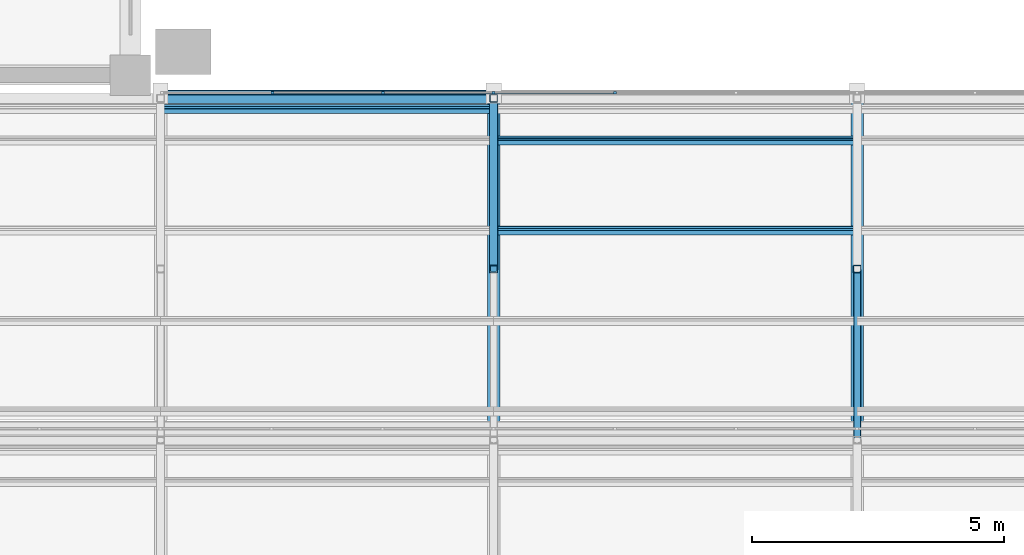
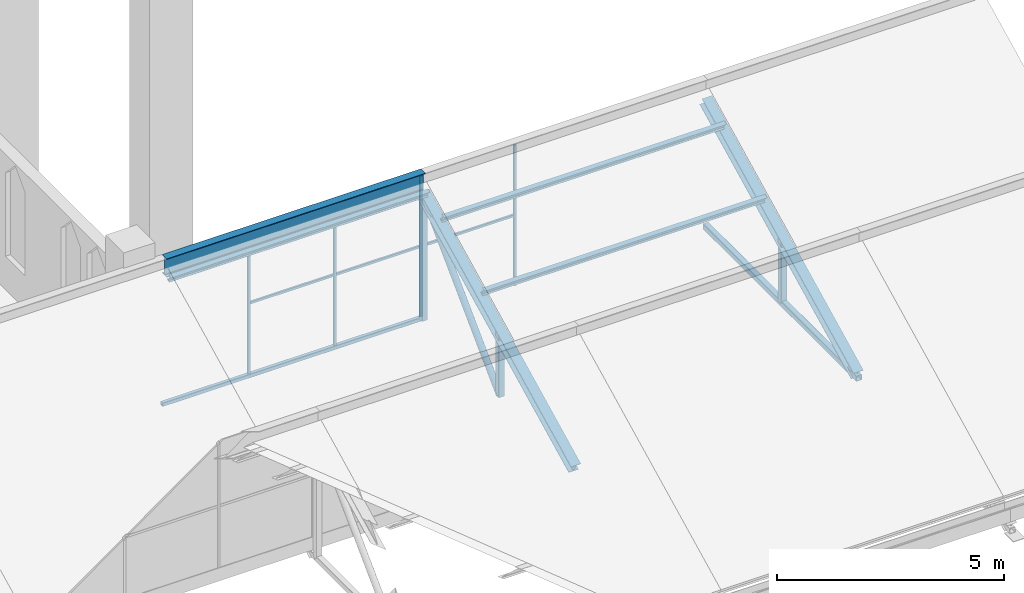
# One storey, part 14 of 29: 19 members, 2 elements without a shape of their own.
"""IFC4 building model written with IfcOpenShell, lengths in metres."""

from ifc_helpers import new_model, si_unit, direction, frame, origin, origin_2d, place, context, subcontext, project, spatial, rectangle, hollow_rectangle, hollow_circle, i_section, extrude, material, material_profile, profile_set, type_object, element, aggregate, save


model = new_model("IFC4")

# Units and contexts
model_context = context("Model", 3, precision=1e-05, world=origin(), true_north=direction((0.0, 1.0)))
body_context = subcontext(model_context, "Body", "Model", "MODEL_VIEW")
ifc_project = project(units=[si_unit("LENGTHUNIT", "METRE"), si_unit("AREAUNIT", "SQUARE_METRE"), si_unit("VOLUMEUNIT", "CUBIC_METRE"), si_unit("PLANEANGLEUNIT", "RADIAN"), si_unit("MASSUNIT", "GRAM", prefix="KILO")], contexts=[model_context])

# Site, building, storey
site_placement = place(None, origin())
site = spatial("IfcSite", under=ifc_project, at=site_placement, CompositionType="ELEMENT")
building_placement = place(site_placement, origin())
building = spatial("IfcBuilding", under=site, at=building_placement, Name="Silangan Lancet Faculty of Sciences", CompositionType="ELEMENT")
storey_placement = place(building_placement, frame((0.0, 0.0, 40.800048828125)))
storey = spatial("IfcBuildingStorey", under=building, at=storey_placement, Name="L08", CompositionType="ELEMENT", Elevation=40.800048828125)

# Members
ifc_material_1 = material(Name="Steel SS400", Category="steel")
ifc_material_profile_1 = material_profile(ifc_material_1, i_section(OverallWidth=0.199951171875, OverallDepth=0.5, WebThickness=0.010009765625, FlangeThickness=0.01611328125, FilletRadius=0.02001953125, at=origin_2d()), Name="H 500x200x10x16")
ifc_profile_set_1 = profile_set([ifc_material_profile_1], Name="Steel SS400")
member_type_1 = type_object("IfcMemberType", Name="Exposed ridge beam H 500x200x10x16", PredefinedType="MEMBER", material=ifc_profile_set_1)
member_1_placement = place(storey_placement, frame((29.39990234375, 35.5400390625, 3.836669921875), z_axis=(1.0, 0.0, 0.0), x_axis=(0.0, 1.0, 0.0)))
element("IfcMember", 1, at=member_1_placement, inside=storey, type_object=member_type_1, Name="Exposed ridge beam ATRIUM-2-5", PredefinedType="MEMBER", context=body_context, shape_type="SweptSolid", body=[
    extrude(i_section(OverallWidth=0.199951171875, OverallDepth=0.5, WebThickness=0.010009765625, FlangeThickness=0.01611328125, FilletRadius=0.02001953125, at=origin_2d()), origin(), (0.0, 0.0, 1.0), 6.60009765625),
])
ifc_material_2 = material(Name="Steel STKR400", Category="steel")
ifc_material_profile_2 = material_profile(ifc_material_2, hollow_rectangle(XDim=0.10009765625, YDim=0.10009765625, WallThickness=0.006103515625, InnerFilletRadius=0.006103515625, OuterFilletRadius=0.011962890625, at=origin_2d()), Name="SHS 100x100x6.0")
ifc_profile_set_2 = profile_set([ifc_material_profile_2], Name="Steel STKR400")
member_type_2 = type_object("IfcMemberType", Name="Light sill SHS 100x100x6.0", PredefinedType="MEMBER", material=ifc_profile_set_2)
member_2_placement = place(storey_placement, frame((29.39990234375, 35.655029296875, 0.050048828125), z_axis=(1.0, 0.0, 0.0), x_axis=(0.0, 1.0, 0.0)))
element("IfcMember", 2, at=member_2_placement, inside=storey, type_object=member_type_2, Name="North light sill ATRIUM-2-5", PredefinedType="MEMBER", context=body_context, shape_type="SweptSolid", body=[
    extrude(hollow_rectangle(XDim=0.10009765625, YDim=0.10009765625, WallThickness=0.006103515625, InnerFilletRadius=0.006103515625, OuterFilletRadius=0.011962890625, at=origin_2d()), origin(), (0.0, 0.0, 1.0), 6.60009765625),
])

# Curtain wall, members
ifc_material_3 = material(Name="Aluminium and laminated glass", Category="aluminium")
curtain_wall_type = type_object("IfcCurtainWallType", Name="North light glazing system", PredefinedType="NOTDEFINED", material=ifc_material_3)
curtain_wall_1_placement = place(storey_placement, origin())
curtain_wall_1 = element("IfcCurtainWall", 3, at=curtain_wall_1_placement, inside=storey, type_object=curtain_wall_type, Name="North light glazing ATRIUM-2-5", PredefinedType="NOTDEFINED")
ifc_material_4 = material(Name="Aluminium 6063-T6", Category="aluminium")
ifc_material_profile_3 = material_profile(ifc_material_4, rectangle(XDim=0.06005859375, YDim=0.050048828125, at=origin_2d()), Name="AL 60x50")
ifc_profile_set_3 = profile_set([ifc_material_profile_3], Name="Aluminium 6063-T6")
member_type_3 = type_object("IfcMemberType", Name="North light mullion 60x50", PredefinedType="MULLION", material=ifc_profile_set_3)
member_3_placement = place(storey_placement, frame((31.6201171875, 35.655029296875, 0.099853515625), z_axis=(0.0, 0.0, 1.0), x_axis=(1.0, 0.0, 0.0)))
member_3 = element("IfcMember", 4, at=member_3_placement, type_object=member_type_3, Name="North light mullion ATRIUM-2-5 2", PredefinedType="MULLION", context=body_context, shape_type="SweptSolid", body=[
    extrude(rectangle(XDim=0.06005859375, YDim=0.050048828125, at=origin_2d()), origin(), (0.0, 0.0, 1.0), 3.7880859375),
])
member_4_placement = place(storey_placement, frame((33.81005859375, 35.655029296875, 0.099853515625), z_axis=(0.0, 0.0, 1.0), x_axis=(1.0, 0.0, 0.0)))
member_4 = element("IfcMember", 5, at=member_4_placement, type_object=member_type_3, Name="North light mullion ATRIUM-2-5 3", PredefinedType="MULLION", context=body_context, shape_type="SweptSolid", body=[
    extrude(rectangle(XDim=0.06005859375, YDim=0.050048828125, at=origin_2d()), origin(), (0.0, 0.0, 1.0), 3.7880859375),
])

curtain_wall_2_placement = place(storey_placement, origin())
curtain_wall_2 = element("IfcCurtainWall", 6, at=curtain_wall_2_placement, inside=storey, type_object=curtain_wall_type, Name="North light glazing ATRIUM-2-6", PredefinedType="NOTDEFINED")
member_5_placement = place(storey_placement, frame((36.0, 35.655029296875, 0.099853515625), z_axis=(0.0, 0.0, 1.0), x_axis=(1.0, 0.0, 0.0)))
member_5 = element("IfcMember", 7, at=member_5_placement, type_object=member_type_3, Name="North light mullion ATRIUM-2-6 1", PredefinedType="MULLION", context=body_context, shape_type="SweptSolid", body=[
    extrude(rectangle(XDim=0.06005859375, YDim=0.050048828125, at=origin_2d()), origin(), (0.0, 0.0, 1.0), 3.7880859375),
])
member_6_placement = place(storey_placement, frame((38.39990234375, 35.655029296875, 0.099853515625), z_axis=(0.0, 0.0, 1.0), x_axis=(1.0, 0.0, 0.0)))
member_6 = element("IfcMember", 8, at=member_6_placement, type_object=member_type_3, Name="North light mullion ATRIUM-2-6 2", PredefinedType="MULLION", context=body_context, shape_type="SweptSolid", body=[
    extrude(rectangle(XDim=0.06005859375, YDim=0.050048828125, at=origin_2d()), origin(), (0.0, 0.0, 1.0), 3.7880859375),
])

# Member
ifc_material_5 = material(Name="Aluminium 6063-T6", Category="aluminium")
ifc_material_profile_4 = material_profile(ifc_material_5, rectangle(XDim=0.050048828125, YDim=0.06005859375, at=origin_2d()), Name="AL 50x60")
ifc_profile_set_4 = profile_set([ifc_material_profile_4], Name="Aluminium 6063-T6")
member_type_4 = type_object("IfcMemberType", Name="North light transom 50x60", PredefinedType="USERDEFINED", material=ifc_profile_set_4)
member_7_placement = place(storey_placement, frame((31.64990234375, 35.655029296875, 1.993896484375), z_axis=(1.0, 0.0, 0.0), x_axis=(0.0, 1.0, 0.0)))
member_7 = element("IfcMember", 9, at=member_7_placement, type_object=member_type_4, Name="North light transom ATRIUM-2-5 2", ObjectType="TRANSOM", PredefinedType="USERDEFINED", context=body_context, shape_type="SweptSolid", body=[
    extrude(rectangle(XDim=0.050048828125, YDim=0.06005859375, at=origin_2d()), origin(), (0.0, 0.0, 1.0), 2.130126953125),
])

member_8_placement = place(storey_placement, frame((33.840087890625, 35.655029296875, 1.993896484375), z_axis=(1.0, 0.0, 0.0), x_axis=(0.0, 1.0, 0.0)))
member_8 = element("IfcMember", 10, at=member_8_placement, type_object=member_type_4, Name="North light transom ATRIUM-2-5 3", ObjectType="TRANSOM", PredefinedType="USERDEFINED", context=body_context, shape_type="SweptSolid", body=[
    extrude(rectangle(XDim=0.050048828125, YDim=0.06005859375, at=origin_2d()), origin(), (0.0, 0.0, 1.0), 2.1298828125),
])

aggregate(curtain_wall_1, [member_3, member_4, member_7, member_8])

member_9_placement = place(storey_placement, frame((36.030029296875, 35.655029296875, 1.993896484375), z_axis=(1.0, 0.0, 0.0), x_axis=(0.0, 1.0, 0.0)))
member_9 = element("IfcMember", 11, at=member_9_placement, type_object=member_type_4, Name="North light transom ATRIUM-2-6 1", ObjectType="TRANSOM", PredefinedType="USERDEFINED", context=body_context, shape_type="SweptSolid", body=[
    extrude(rectangle(XDim=0.050048828125, YDim=0.06005859375, at=origin_2d()), origin(), (0.0, 0.0, 1.0), 2.340087890625),
])

aggregate(curtain_wall_2, [member_5, member_6, member_9])

# Members
ifc_material_6 = material(Name="Steel SS400", Category="steel")
ifc_material_profile_5 = material_profile(ifc_material_6, i_section(OverallWidth=0.10009765625, OverallDepth=0.199951171875, WebThickness=0.005615234375, FlangeThickness=0.008056640625, FilletRadius=0.008056640625, at=origin_2d()), Name="H 200x100x5.5x8")
ifc_profile_set_5 = profile_set([ifc_material_profile_5], Name="Steel SS400")
member_type_5 = type_object("IfcMemberType", Name="Sheeting purlin H 200x100x5.5x8", PredefinedType="PURLIN", material=ifc_profile_set_5)
member_10_placement = place(storey_placement, frame((29.39990234375, 35.33203125, 3.62744140625), z_axis=(1.0, 0.0, 0.0), x_axis=(0.0, 0.894427192382, 0.447213592736)))
element("IfcMember", 12, at=member_10_placement, inside=storey, type_object=member_type_5, Name="Sheeting purlin ATRIUM-2-5 5", PredefinedType="PURLIN", context=body_context, shape_type="SweptSolid", body=[
    extrude(i_section(OverallWidth=0.10009765625, OverallDepth=0.199951171875, WebThickness=0.005615234375, FlangeThickness=0.008056640625, FilletRadius=0.008056640625, at=origin_2d()), origin(), (0.0, 0.0, 1.0), 6.60009765625),
])
for number, where, z_axis, x_axis, name in (
    (13, (36.0, 32.91796875, 2.42041015625), (1.0, 0.0, 0.0), (0.0, 0.894427192382, 0.447213592736), "Sheeting purlin ATRIUM-2-6 3"),
    (14, (36.0, 34.706787109375, 3.31494140625), (1.0, 0.0, 0.0), (0.0, 0.894427192382, 0.447213592736), "Sheeting purlin ATRIUM-2-6 4"),
):
    element("IfcMember", number, at=place(storey_placement, frame(where, z_axis=z_axis, x_axis=x_axis)), inside=storey, type_object=member_type_5, Name=name, PredefinedType="PURLIN", context=body_context, shape_type="SweptSolid", body=[
        extrude(i_section(OverallWidth=0.10009765625, OverallDepth=0.199951171875, WebThickness=0.005615234375, FlangeThickness=0.008056640625, FilletRadius=0.008056640625, at=origin_2d()), origin(), (0.0, 0.0, 1.0), 7.199951171875),
    ])
ifc_material_7 = material(Name="Steel STKR400", Category="steel")
ifc_material_profile_6 = material_profile(ifc_material_7, hollow_rectangle(XDim=0.14990234375, YDim=0.14990234375, WallThickness=0.009033203125, InnerFilletRadius=0.009033203125, OuterFilletRadius=0.01806640625, at=origin_2d()), Name="SHS 150x150x9.0")
ifc_profile_set_6 = profile_set([ifc_material_profile_6], Name="Steel STKR400")
member_type_6 = type_object("IfcMemberType", Name="Truss bottom chord SHS 150x150x9.0", PredefinedType="CHORD", material=ifc_profile_set_6)
member_11_placement = place(storey_placement, frame((43.199951171875, 28.77001953125, 0.094970703125), z_axis=(0.0, 1.0, 0.0), x_axis=(-1.0, 0.0, 0.0)))
element("IfcMember", 15, at=member_11_placement, inside=storey, type_object=member_type_6, Name="Truss 7 bottom chord 2", PredefinedType="CHORD", context=body_context, shape_type="SweptSolid", body=[
    extrude(hollow_rectangle(XDim=0.14990234375, YDim=0.14990234375, WallThickness=0.009033203125, InnerFilletRadius=0.009033203125, OuterFilletRadius=0.01806640625, at=origin_2d()), origin(), (0.0, 0.0, 1.0), 6.77001953125),
])
ifc_material_8 = material(Name="Steel STK400", Category="steel")
ifc_material_profile_7 = material_profile(ifc_material_8, hollow_circle(Radius=0.08251953125, WallThickness=0.0048828125, at=origin_2d()), Name="CHS 165.2x5.0")
ifc_profile_set_7 = profile_set([ifc_material_profile_7], Name="Steel STK400")
member_type_7 = type_object("IfcMemberType", Name="Truss diagonal CHS 165.2x5.0", PredefinedType="BRACE", material=ifc_profile_set_7)
member_12_placement = place(storey_placement, frame((36.0, 32.155029296875, 0.094970703125), z_axis=(0.0, 0.707106781187, 0.707106781187), x_axis=(-1.0, 0.0, 0.0)))
element("IfcMember", 16, at=member_12_placement, inside=storey, type_object=member_type_7, Name="Truss 6 diagonal 2", PredefinedType="BRACE", context=body_context, shape_type="SweptSolid", body=[
    extrude(hollow_circle(Radius=0.08251953125, WallThickness=0.0048828125, at=origin_2d()), origin(), (0.0, 0.0, 1.0), 4.787109375),
])
ifc_material_9 = material(Name="Steel STKR400", Category="steel")
ifc_material_profile_8 = material_profile(ifc_material_9, hollow_rectangle(XDim=0.14990234375, YDim=0.14990234375, WallThickness=0.006103515625, InnerFilletRadius=0.006103515625, OuterFilletRadius=0.011962890625, at=origin_2d()), Name="SHS 150x150x6.0")
ifc_profile_set_8 = profile_set([ifc_material_profile_8], Name="Steel STKR400")
member_type_8 = type_object("IfcMemberType", Name="Truss post SHS 150x150x6.0", PredefinedType="POST", material=ifc_profile_set_8)
member_13_placement = place(storey_placement, frame((36.0, 35.5400390625, 0.094970703125), z_axis=(0.0, 0.0, 1.0), x_axis=(1.0, 0.0, 0.0)))
element("IfcMember", 17, at=member_13_placement, inside=storey, type_object=member_type_8, Name="Truss 6 riser post 2", PredefinedType="POST", context=body_context, shape_type="SweptSolid", body=[
    extrude(hollow_rectangle(XDim=0.14990234375, YDim=0.14990234375, WallThickness=0.006103515625, InnerFilletRadius=0.006103515625, OuterFilletRadius=0.011962890625, at=origin_2d()), origin(), (0.0, 0.0, 1.0), 3.385009765625),
])
for number, where, z_axis, x_axis, name in (
    (18, (36.0, 32.155029296875, 0.094970703125), (0.0, 0.0, 1.0), (1.0, 0.0, 0.0), "Truss 6 mid post 2"),
    (19, (43.199951171875, 32.155029296875, 0.094970703125), (0.0, 0.0, 1.0), (1.0, 0.0, 0.0), "Truss 7 mid post 2"),
):
    element("IfcMember", number, at=place(storey_placement, frame(where, z_axis=z_axis, x_axis=x_axis)), inside=storey, type_object=member_type_8, Name=name, PredefinedType="POST", context=body_context, shape_type="SweptSolid", body=[
        extrude(hollow_rectangle(XDim=0.14990234375, YDim=0.14990234375, WallThickness=0.006103515625, InnerFilletRadius=0.006103515625, OuterFilletRadius=0.011962890625, at=origin_2d()), origin(), (0.0, 0.0, 1.0), 1.6923828125),
    ])
ifc_material_10 = material(Name="Steel SS400", Category="steel")
ifc_material_profile_9 = material_profile(ifc_material_10, i_section(OverallWidth=0.25, OverallDepth=0.25, WebThickness=0.009033203125, FlangeThickness=0.013916015625, FilletRadius=0.01611328125, at=origin_2d()), Name="H 250x250x9x14")
ifc_profile_set_9 = profile_set([ifc_material_profile_9], Name="Steel SS400")
member_type_9 = type_object("IfcMemberType", Name="Truss top chord H 250x250x9x14", PredefinedType="CHORD", material=ifc_profile_set_9)
for number, where, z_axis, x_axis, name in (
    (20, (36.0, 28.8505859375, 0.13525390625), (0.0, 0.894427191, 0.4472135955), (-1.0, 0.0, 0.0), "Truss 6 top chord 2"),
    (21, (43.199951171875, 28.8505859375, 0.13525390625), (0.0, 0.894427191, 0.4472135955), (-1.0, 0.0, 0.0), "Truss 7 top chord 2"),
):
    element("IfcMember", number, at=place(storey_placement, frame(where, z_axis=z_axis, x_axis=x_axis)), inside=storey, type_object=member_type_9, Name=name, PredefinedType="CHORD", context=body_context, shape_type="SweptSolid", body=[
        extrude(i_section(OverallWidth=0.25, OverallDepth=0.25, WebThickness=0.009033203125, FlangeThickness=0.013916015625, FilletRadius=0.01611328125, at=origin_2d()), origin(), (0.0, 0.0, 1.0), 7.47900390625),
    ])

save(model, "model.ifc")
